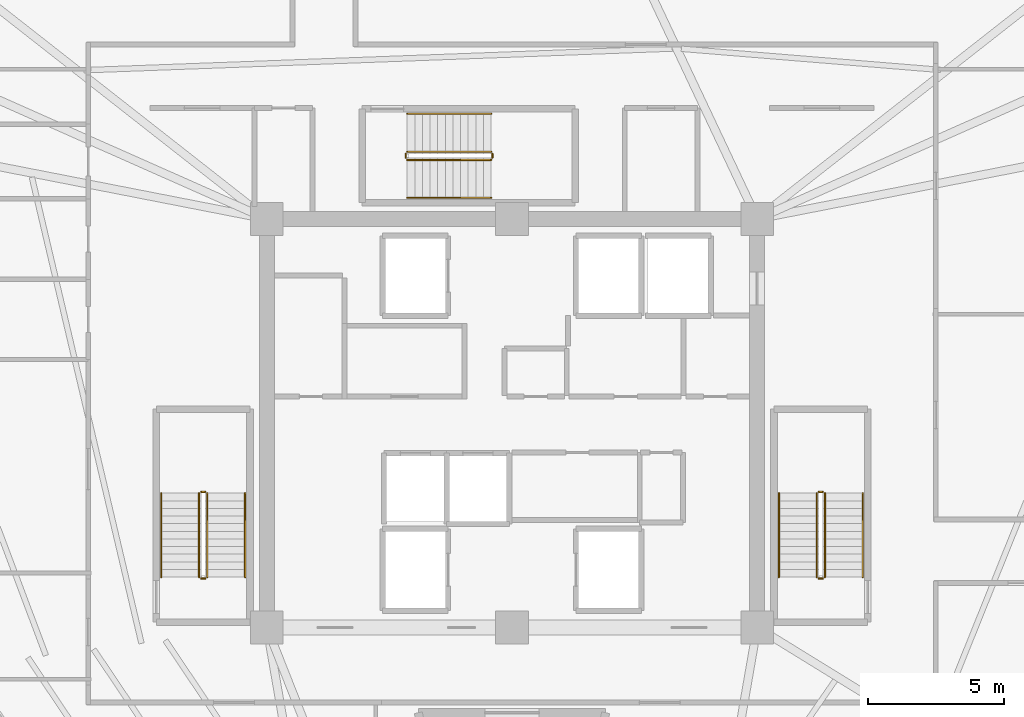
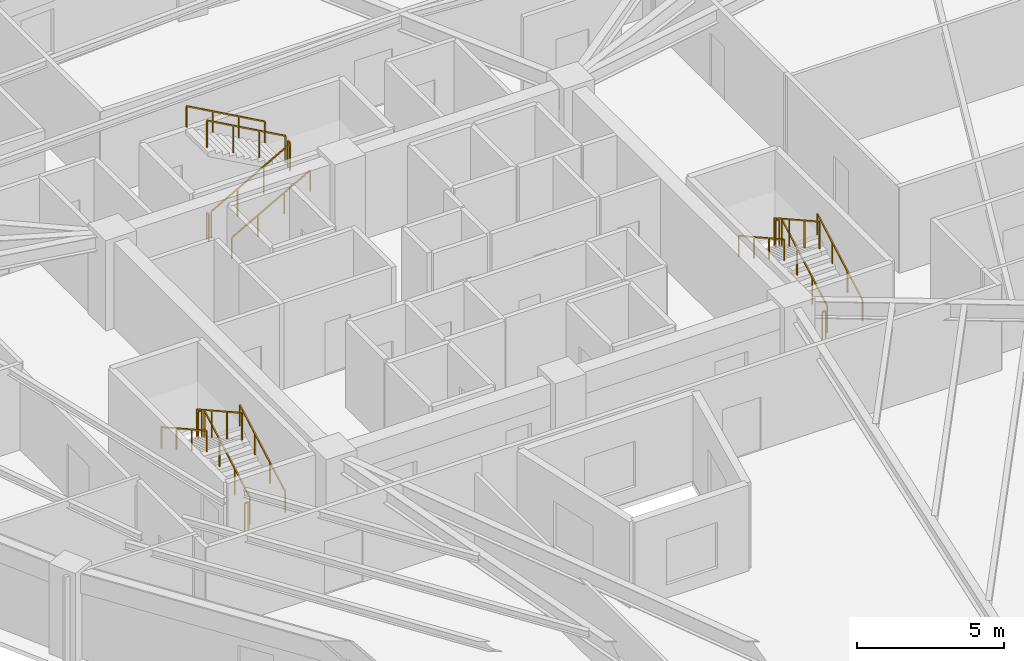
# One storey, part 8 of 8: 18 railings.
"""IFC4 building model written with IfcOpenShell, lengths in metres."""

from ifc_helpers import new_model, si_unit, direction, frame, origin, origin_2d, place, context, subcontext, project, spatial, rectangle, extrude, material, type_object, element, save


model = new_model("IFC4")

# Units and contexts
model_context = context("Model", 3, precision=1e-05, world=origin(), true_north=direction((0.0, 1.0)))
body_context = subcontext(model_context, "Body", "Model", "MODEL_VIEW")
ifc_project = project(units=[si_unit("LENGTHUNIT", "METRE"), si_unit("AREAUNIT", "SQUARE_METRE"), si_unit("VOLUMEUNIT", "CUBIC_METRE"), si_unit("PLANEANGLEUNIT", "RADIAN"), si_unit("MASSUNIT", "GRAM", prefix="KILO")], contexts=[model_context])

# Site, building, storey
site_placement = place(None, origin())
site = spatial("IfcSite", under=ifc_project, at=site_placement, CompositionType="ELEMENT")
building_placement = place(site_placement, origin())
building = spatial("IfcBuilding", under=site, at=building_placement, Name="Liaohun Quay Tower", CompositionType="ELEMENT")
storey_placement = place(building_placement, frame((0.0, 0.0, 316.5)))
storey = spatial("IfcBuildingStorey", under=building, at=storey_placement, Name="L82", CompositionType="ELEMENT", Elevation=316.5)

# Railings
ifc_material_1 = material(Name="Painted tubular steel", Category="steel")
railing_type_1 = type_object("IfcRailingType", Name="RLG-GUARD-STR", PredefinedType="GUARDRAIL", material=ifc_material_1)
railing_1_placement = place(storey_placement, frame((48.81005859375, 48.35009765625, 0.15625)))
element("IfcRailing", 1, at=railing_1_placement, inside=storey, type_object=railing_type_1, Name="L82 ST-1 stair guard 1", PredefinedType="GUARDRAIL", context=body_context, shape_type="SweptSolid", body=[
    extrude(rectangle(XDim=0.048095703125, YDim=0.048095703125, at=origin_2d()), frame((0.0, 0.0, 1.1259765625), z_axis=(0.0, 0.873225103656, 0.487317061414), x_axis=(-1.0, 0.0, 0.0)), (0.0, 0.0, 1.0), 3.52685546875),
    extrude(rectangle(XDim=0.0419921875, YDim=0.0419921875, at=origin_2d()), origin(), (0.0, 0.0, 1.0), 1.101806640625),
    extrude(rectangle(XDim=0.0419921875, YDim=0.0419921875, at=origin_2d()), frame((0.0, 1.026611328125, 0.572998046875)), (0.0, 0.0, 1.0), 1.101806640625),
    extrude(rectangle(XDim=0.0419921875, YDim=0.0419921875, at=origin_2d()), frame((0.0, 2.05322265625, 1.145751953125)), (0.0, 0.0, 1.0), 1.101806640625),
    extrude(rectangle(XDim=0.0419921875, YDim=0.0419921875, at=origin_2d()), frame((0.0, 3.079833984375, 1.71875)), (0.0, 0.0, 1.0), 1.101806640625),
])
railing_2_placement = place(storey_placement, frame((48.72998046875, 51.47998046875, 1.875)))
element("IfcRailing", 2, at=railing_2_placement, inside=storey, type_object=railing_type_1, Name="L82 ST-1 stair guard 2", PredefinedType="GUARDRAIL", context=body_context, shape_type="SweptSolid", body=[
    extrude(rectangle(XDim=0.048095703125, YDim=0.048095703125, at=origin_2d()), frame((0.0, 0.0, 1.1259765625), z_axis=(-1.0, 0.0, 0.0), x_axis=(0.0, -1.0, 0.0)), (0.0, 0.0, 1.0), 0.139892578125),
    extrude(rectangle(XDim=0.0419921875, YDim=0.0419921875, at=origin_2d()), origin(), (0.0, 0.0, 1.0), 1.101806640625),
    extrude(rectangle(XDim=0.0419921875, YDim=0.0419921875, at=origin_2d()), frame((-0.139892578125, 0.0, 0.0)), (0.0, 0.0, 1.0), 1.101806640625),
])
railing_3_placement = place(storey_placement, frame((48.510009765625, 51.429931640625, 2.03125)))
element("IfcRailing", 3, at=railing_3_placement, inside=storey, type_object=railing_type_1, Name="L82 ST-1 stair guard 3", PredefinedType="GUARDRAIL", context=body_context, shape_type="SweptSolid", body=[
    extrude(rectangle(XDim=0.048095703125, YDim=0.048095703125, at=origin_2d()), frame((0.0, 0.0, 1.1259765625), z_axis=(0.0, -0.873225103656, 0.487317061414), x_axis=(1.0, 0.0, 0.0)), (0.0, 0.0, 1.0), 3.52685546875),
    extrude(rectangle(XDim=0.0419921875, YDim=0.0419921875, at=origin_2d()), origin(), (0.0, 0.0, 1.0), 1.101806640625),
    extrude(rectangle(XDim=0.0419921875, YDim=0.0419921875, at=origin_2d()), frame((0.0, -1.026611328125, 0.572998046875)), (0.0, 0.0, 1.0), 1.101806640625),
    extrude(rectangle(XDim=0.0419921875, YDim=0.0419921875, at=origin_2d()), frame((0.0, -2.05322265625, 1.145751953125)), (0.0, 0.0, 1.0), 1.101806640625),
    extrude(rectangle(XDim=0.0419921875, YDim=0.0419921875, at=origin_2d()), frame((0.0, -3.079833984375, 1.71875)), (0.0, 0.0, 1.0), 1.101806640625),
])
railing_4_placement = place(storey_placement, frame((48.72998046875, 48.300048828125, 0.0)))
element("IfcRailing", 4, at=railing_4_placement, inside=storey, type_object=railing_type_1, Name="L82 ST-1 stair guard 4", PredefinedType="GUARDRAIL", context=body_context, shape_type="SweptSolid", body=[
    extrude(rectangle(XDim=0.048095703125, YDim=0.048095703125, at=origin_2d()), frame((0.0, 0.0, 1.1259765625), z_axis=(-1.0, 0.0, 0.0), x_axis=(0.0, -1.0, 0.0)), (0.0, 0.0, 1.0), 0.139892578125),
    extrude(rectangle(XDim=0.0419921875, YDim=0.0419921875, at=origin_2d()), origin(), (0.0, 0.0, 1.0), 1.101806640625),
    extrude(rectangle(XDim=0.0419921875, YDim=0.0419921875, at=origin_2d()), frame((-0.139892578125, 0.0, 0.0)), (0.0, 0.0, 1.0), 1.101806640625),
])
railing_5_placement = place(storey_placement, frame((71.489990234375, 48.35009765625, 0.15625)))
element("IfcRailing", 5, at=railing_5_placement, inside=storey, type_object=railing_type_1, Name="L82 ST-2 stair guard 1", PredefinedType="GUARDRAIL", context=body_context, shape_type="SweptSolid", body=[
    extrude(rectangle(XDim=0.048095703125, YDim=0.048095703125, at=origin_2d()), frame((0.0, 0.0, 1.1259765625), z_axis=(0.0, 0.873225103656, 0.487317061414), x_axis=(-1.0, 0.0, 0.0)), (0.0, 0.0, 1.0), 3.52685546875),
    extrude(rectangle(XDim=0.0419921875, YDim=0.0419921875, at=origin_2d()), origin(), (0.0, 0.0, 1.0), 1.101806640625),
    extrude(rectangle(XDim=0.0419921875, YDim=0.0419921875, at=origin_2d()), frame((0.0, 1.026611328125, 0.572998046875)), (0.0, 0.0, 1.0), 1.101806640625),
    extrude(rectangle(XDim=0.0419921875, YDim=0.0419921875, at=origin_2d()), frame((0.0, 2.05322265625, 1.145751953125)), (0.0, 0.0, 1.0), 1.101806640625),
    extrude(rectangle(XDim=0.0419921875, YDim=0.0419921875, at=origin_2d()), frame((0.0, 3.079833984375, 1.71875)), (0.0, 0.0, 1.0), 1.101806640625),
])
railing_6_placement = place(storey_placement, frame((71.409912109375, 51.47998046875, 1.875)))
element("IfcRailing", 6, at=railing_6_placement, inside=storey, type_object=railing_type_1, Name="L82 ST-2 stair guard 2", PredefinedType="GUARDRAIL", context=body_context, shape_type="SweptSolid", body=[
    extrude(rectangle(XDim=0.048095703125, YDim=0.048095703125, at=origin_2d()), frame((0.0, 0.0, 1.1259765625), z_axis=(-1.0, 0.0, 0.0), x_axis=(0.0, -1.0, 0.0)), (0.0, 0.0, 1.0), 0.139892578125),
    extrude(rectangle(XDim=0.0419921875, YDim=0.0419921875, at=origin_2d()), origin(), (0.0, 0.0, 1.0), 1.101806640625),
    extrude(rectangle(XDim=0.0419921875, YDim=0.0419921875, at=origin_2d()), frame((-0.139892578125, 0.0, 0.0)), (0.0, 0.0, 1.0), 1.101806640625),
])
railing_7_placement = place(storey_placement, frame((71.18994140625, 51.429931640625, 2.03125)))
element("IfcRailing", 7, at=railing_7_placement, inside=storey, type_object=railing_type_1, Name="L82 ST-2 stair guard 3", PredefinedType="GUARDRAIL", context=body_context, shape_type="SweptSolid", body=[
    extrude(rectangle(XDim=0.048095703125, YDim=0.048095703125, at=origin_2d()), frame((0.0, 0.0, 1.1259765625), z_axis=(0.0, -0.873225103656, 0.487317061414), x_axis=(1.0, 0.0, 0.0)), (0.0, 0.0, 1.0), 3.52685546875),
    extrude(rectangle(XDim=0.0419921875, YDim=0.0419921875, at=origin_2d()), origin(), (0.0, 0.0, 1.0), 1.101806640625),
    extrude(rectangle(XDim=0.0419921875, YDim=0.0419921875, at=origin_2d()), frame((0.0, -1.026611328125, 0.572998046875)), (0.0, 0.0, 1.0), 1.101806640625),
    extrude(rectangle(XDim=0.0419921875, YDim=0.0419921875, at=origin_2d()), frame((0.0, -2.05322265625, 1.145751953125)), (0.0, 0.0, 1.0), 1.101806640625),
    extrude(rectangle(XDim=0.0419921875, YDim=0.0419921875, at=origin_2d()), frame((0.0, -3.079833984375, 1.71875)), (0.0, 0.0, 1.0), 1.101806640625),
])
railing_8_placement = place(storey_placement, frame((71.409912109375, 48.300048828125, 0.0)))
element("IfcRailing", 8, at=railing_8_placement, inside=storey, type_object=railing_type_1, Name="L82 ST-2 stair guard 4", PredefinedType="GUARDRAIL", context=body_context, shape_type="SweptSolid", body=[
    extrude(rectangle(XDim=0.048095703125, YDim=0.048095703125, at=origin_2d()), frame((0.0, 0.0, 1.1259765625), z_axis=(-1.0, 0.0, 0.0), x_axis=(0.0, -1.0, 0.0)), (0.0, 0.0, 1.0), 0.139892578125),
    extrude(rectangle(XDim=0.0419921875, YDim=0.0419921875, at=origin_2d()), origin(), (0.0, 0.0, 1.0), 1.101806640625),
    extrude(rectangle(XDim=0.0419921875, YDim=0.0419921875, at=origin_2d()), frame((-0.139892578125, 0.0, 0.0)), (0.0, 0.0, 1.0), 1.101806640625),
])
railing_9_placement = place(storey_placement, frame((56.14990234375, 63.669921875, 0.15625)))
element("IfcRailing", 9, at=railing_9_placement, inside=storey, type_object=railing_type_1, Name="L82 ST-3 stair guard 1", PredefinedType="GUARDRAIL", context=body_context, shape_type="SweptSolid", body=[
    extrude(rectangle(XDim=0.048095703125, YDim=0.048095703125, at=origin_2d()), frame((0.0, 0.0, 1.1259765625), z_axis=(0.873241540666, 0.0, 0.487287606713), x_axis=(0.0, 1.0, 0.0)), (0.0, 0.0, 1.0), 3.527099609375),
    extrude(rectangle(XDim=0.0419921875, YDim=0.0419921875, at=origin_2d()), origin(), (0.0, 0.0, 1.0), 1.101806640625),
    extrude(rectangle(XDim=0.0419921875, YDim=0.0419921875, at=origin_2d()), frame((1.026611328125, 0.0, 0.572998046875)), (0.0, 0.0, 1.0), 1.101806640625),
    extrude(rectangle(XDim=0.0419921875, YDim=0.0419921875, at=origin_2d()), frame((2.053466796875, 0.0, 1.145751953125)), (0.0, 0.0, 1.0), 1.101806640625),
    extrude(rectangle(XDim=0.0419921875, YDim=0.0419921875, at=origin_2d()), frame((3.080078125, 0.0, 1.71875)), (0.0, 0.0, 1.0), 1.101806640625),
])
railing_10_placement = place(storey_placement, frame((59.280029296875, 63.75, 1.875)))
element("IfcRailing", 10, at=railing_10_placement, inside=storey, type_object=railing_type_1, Name="L82 ST-3 stair guard 2", PredefinedType="GUARDRAIL", context=body_context, shape_type="SweptSolid", body=[
    extrude(rectangle(XDim=0.048095703125, YDim=0.048095703125, at=origin_2d()), frame((0.0, 0.0, 1.1259765625), z_axis=(0.0, 1.0, 0.0), x_axis=(-1.0, 0.0, 0.0)), (0.0, 0.0, 1.0), 0.139892578125),
    extrude(rectangle(XDim=0.0419921875, YDim=0.0419921875, at=origin_2d()), origin(), (0.0, 0.0, 1.0), 1.101806640625),
    extrude(rectangle(XDim=0.0419921875, YDim=0.0419921875, at=origin_2d()), frame((0.0, 0.139892578125, 0.0)), (0.0, 0.0, 1.0), 1.101806640625),
])
railing_11_placement = place(storey_placement, frame((59.22998046875, 63.969970703125, 2.03125)))
element("IfcRailing", 11, at=railing_11_placement, inside=storey, type_object=railing_type_1, Name="L82 ST-3 stair guard 3", PredefinedType="GUARDRAIL", context=body_context, shape_type="SweptSolid", body=[
    extrude(rectangle(XDim=0.048095703125, YDim=0.048095703125, at=origin_2d()), frame((0.0, 0.0, 1.1259765625), z_axis=(-0.873241540666, 0.0, 0.487287606713), x_axis=(0.0, -1.0, 0.0)), (0.0, 0.0, 1.0), 3.527099609375),
    extrude(rectangle(XDim=0.0419921875, YDim=0.0419921875, at=origin_2d()), origin(), (0.0, 0.0, 1.0), 1.101806640625),
    extrude(rectangle(XDim=0.0419921875, YDim=0.0419921875, at=origin_2d()), frame((-1.026611328125, 0.0, 0.572998046875)), (0.0, 0.0, 1.0), 1.101806640625),
    extrude(rectangle(XDim=0.0419921875, YDim=0.0419921875, at=origin_2d()), frame((-2.053466796875, 0.0, 1.145751953125)), (0.0, 0.0, 1.0), 1.101806640625),
    extrude(rectangle(XDim=0.0419921875, YDim=0.0419921875, at=origin_2d()), frame((-3.080078125, 0.0, 1.71875)), (0.0, 0.0, 1.0), 1.101806640625),
])
railing_12_placement = place(storey_placement, frame((56.10009765625, 63.75, 0.0)))
element("IfcRailing", 12, at=railing_12_placement, inside=storey, type_object=railing_type_1, Name="L82 ST-3 stair guard 4", PredefinedType="GUARDRAIL", context=body_context, shape_type="SweptSolid", body=[
    extrude(rectangle(XDim=0.048095703125, YDim=0.048095703125, at=origin_2d()), frame((0.0, 0.0, 1.1259765625), z_axis=(0.0, 1.0, 0.0), x_axis=(-1.0, 0.0, 0.0)), (0.0, 0.0, 1.0), 0.139892578125),
    extrude(rectangle(XDim=0.0419921875, YDim=0.0419921875, at=origin_2d()), origin(), (0.0, 0.0, 1.0), 1.101806640625),
    extrude(rectangle(XDim=0.0419921875, YDim=0.0419921875, at=origin_2d()), frame((0.0, 0.139892578125, 0.0)), (0.0, 0.0, 1.0), 1.101806640625),
])
ifc_material_2 = material(Name="Brushed stainless steel", Category="steel")
railing_type_2 = type_object("IfcRailingType", Name="RLG-HND-STR", PredefinedType="HANDRAIL", material=ifc_material_2)
railing_13_placement = place(storey_placement, frame((50.199951171875, 48.35009765625, 0.15625)))
element("IfcRailing", 13, at=railing_13_placement, inside=storey, type_object=railing_type_2, Name="L82 ST-1 stair handrail 1", PredefinedType="HANDRAIL", context=body_context, shape_type="SweptSolid", body=[
    extrude(rectangle(XDim=0.048095703125, YDim=0.048095703125, at=origin_2d()), frame((0.0, 0.0, 0.8759765625), z_axis=(0.0, 0.873225103656, 0.487317061414), x_axis=(-1.0, 0.0, 0.0)), (0.0, 0.0, 1.0), 3.52685546875),
    extrude(rectangle(XDim=0.0419921875, YDim=0.0419921875, at=origin_2d()), origin(), (0.0, 0.0, 1.0), 0.851806640625),
    extrude(rectangle(XDim=0.0419921875, YDim=0.0419921875, at=origin_2d()), frame((0.0, 1.026611328125, 0.572998046875)), (0.0, 0.0, 1.0), 0.851806640625),
    extrude(rectangle(XDim=0.0419921875, YDim=0.0419921875, at=origin_2d()), frame((0.0, 2.05322265625, 1.145751953125)), (0.0, 0.0, 1.0), 0.851806640625),
    extrude(rectangle(XDim=0.0419921875, YDim=0.0419921875, at=origin_2d()), frame((0.0, 3.079833984375, 1.71875)), (0.0, 0.0, 1.0), 0.851806640625),
])
railing_14_placement = place(storey_placement, frame((47.1201171875, 51.429931640625, 2.03125)))
element("IfcRailing", 14, at=railing_14_placement, inside=storey, type_object=railing_type_2, Name="L82 ST-1 stair handrail 2", PredefinedType="HANDRAIL", context=body_context, shape_type="SweptSolid", body=[
    extrude(rectangle(XDim=0.048095703125, YDim=0.048095703125, at=origin_2d()), frame((0.0, 0.0, 0.8759765625), z_axis=(0.0, -0.873225103656, 0.487317061414), x_axis=(1.0, 0.0, 0.0)), (0.0, 0.0, 1.0), 3.52685546875),
    extrude(rectangle(XDim=0.0419921875, YDim=0.0419921875, at=origin_2d()), origin(), (0.0, 0.0, 1.0), 0.851806640625),
    extrude(rectangle(XDim=0.0419921875, YDim=0.0419921875, at=origin_2d()), frame((0.0, -1.026611328125, 0.572998046875)), (0.0, 0.0, 1.0), 0.851806640625),
    extrude(rectangle(XDim=0.0419921875, YDim=0.0419921875, at=origin_2d()), frame((0.0, -2.05322265625, 1.145751953125)), (0.0, 0.0, 1.0), 0.851806640625),
    extrude(rectangle(XDim=0.0419921875, YDim=0.0419921875, at=origin_2d()), frame((0.0, -3.079833984375, 1.71875)), (0.0, 0.0, 1.0), 0.851806640625),
])
railing_15_placement = place(storey_placement, frame((72.8798828125, 48.35009765625, 0.15625)))
element("IfcRailing", 15, at=railing_15_placement, inside=storey, type_object=railing_type_2, Name="L82 ST-2 stair handrail 1", PredefinedType="HANDRAIL", context=body_context, shape_type="SweptSolid", body=[
    extrude(rectangle(XDim=0.048095703125, YDim=0.048095703125, at=origin_2d()), frame((0.0, 0.0, 0.8759765625), z_axis=(0.0, 0.873225103656, 0.487317061414), x_axis=(-1.0, 0.0, 0.0)), (0.0, 0.0, 1.0), 3.52685546875),
    extrude(rectangle(XDim=0.0419921875, YDim=0.0419921875, at=origin_2d()), origin(), (0.0, 0.0, 1.0), 0.851806640625),
    extrude(rectangle(XDim=0.0419921875, YDim=0.0419921875, at=origin_2d()), frame((0.0, 1.026611328125, 0.572998046875)), (0.0, 0.0, 1.0), 0.851806640625),
    extrude(rectangle(XDim=0.0419921875, YDim=0.0419921875, at=origin_2d()), frame((0.0, 2.05322265625, 1.145751953125)), (0.0, 0.0, 1.0), 0.851806640625),
    extrude(rectangle(XDim=0.0419921875, YDim=0.0419921875, at=origin_2d()), frame((0.0, 3.079833984375, 1.71875)), (0.0, 0.0, 1.0), 0.851806640625),
])
railing_16_placement = place(storey_placement, frame((69.800048828125, 51.429931640625, 2.03125)))
element("IfcRailing", 16, at=railing_16_placement, inside=storey, type_object=railing_type_2, Name="L82 ST-2 stair handrail 2", PredefinedType="HANDRAIL", context=body_context, shape_type="SweptSolid", body=[
    extrude(rectangle(XDim=0.048095703125, YDim=0.048095703125, at=origin_2d()), frame((0.0, 0.0, 0.8759765625), z_axis=(0.0, -0.873225103656, 0.487317061414), x_axis=(1.0, 0.0, 0.0)), (0.0, 0.0, 1.0), 3.52685546875),
    extrude(rectangle(XDim=0.0419921875, YDim=0.0419921875, at=origin_2d()), origin(), (0.0, 0.0, 1.0), 0.851806640625),
    extrude(rectangle(XDim=0.0419921875, YDim=0.0419921875, at=origin_2d()), frame((0.0, -1.026611328125, 0.572998046875)), (0.0, 0.0, 1.0), 0.851806640625),
    extrude(rectangle(XDim=0.0419921875, YDim=0.0419921875, at=origin_2d()), frame((0.0, -2.05322265625, 1.145751953125)), (0.0, 0.0, 1.0), 0.851806640625),
    extrude(rectangle(XDim=0.0419921875, YDim=0.0419921875, at=origin_2d()), frame((0.0, -3.079833984375, 1.71875)), (0.0, 0.0, 1.0), 0.851806640625),
])
railing_17_placement = place(storey_placement, frame((56.14990234375, 62.280029296875, 0.15625)))
element("IfcRailing", 17, at=railing_17_placement, inside=storey, type_object=railing_type_2, Name="L82 ST-3 stair handrail 1", PredefinedType="HANDRAIL", context=body_context, shape_type="SweptSolid", body=[
    extrude(rectangle(XDim=0.048095703125, YDim=0.048095703125, at=origin_2d()), frame((0.0, 0.0, 0.8759765625), z_axis=(0.873241540666, 0.0, 0.487287606713), x_axis=(0.0, 1.0, 0.0)), (0.0, 0.0, 1.0), 3.527099609375),
    extrude(rectangle(XDim=0.0419921875, YDim=0.0419921875, at=origin_2d()), origin(), (0.0, 0.0, 1.0), 0.851806640625),
    extrude(rectangle(XDim=0.0419921875, YDim=0.0419921875, at=origin_2d()), frame((1.026611328125, 0.0, 0.572998046875)), (0.0, 0.0, 1.0), 0.851806640625),
    extrude(rectangle(XDim=0.0419921875, YDim=0.0419921875, at=origin_2d()), frame((2.053466796875, 0.0, 1.145751953125)), (0.0, 0.0, 1.0), 0.851806640625),
    extrude(rectangle(XDim=0.0419921875, YDim=0.0419921875, at=origin_2d()), frame((3.080078125, 0.0, 1.71875)), (0.0, 0.0, 1.0), 0.851806640625),
])
railing_18_placement = place(storey_placement, frame((59.22998046875, 65.360107421875, 2.03125)))
element("IfcRailing", 18, at=railing_18_placement, inside=storey, type_object=railing_type_2, Name="L82 ST-3 stair handrail 2", PredefinedType="HANDRAIL", context=body_context, shape_type="SweptSolid", body=[
    extrude(rectangle(XDim=0.048095703125, YDim=0.048095703125, at=origin_2d()), frame((0.0, 0.0, 0.8759765625), z_axis=(-0.873241540666, 0.0, 0.487287606713), x_axis=(0.0, -1.0, 0.0)), (0.0, 0.0, 1.0), 3.527099609375),
    extrude(rectangle(XDim=0.0419921875, YDim=0.0419921875, at=origin_2d()), origin(), (0.0, 0.0, 1.0), 0.851806640625),
    extrude(rectangle(XDim=0.0419921875, YDim=0.0419921875, at=origin_2d()), frame((-1.026611328125, 0.0, 0.572998046875)), (0.0, 0.0, 1.0), 0.851806640625),
    extrude(rectangle(XDim=0.0419921875, YDim=0.0419921875, at=origin_2d()), frame((-2.053466796875, 0.0, 1.145751953125)), (0.0, 0.0, 1.0), 0.851806640625),
    extrude(rectangle(XDim=0.0419921875, YDim=0.0419921875, at=origin_2d()), frame((-3.080078125, 0.0, 1.71875)), (0.0, 0.0, 1.0), 0.851806640625),
])

save(model, "model.ifc")
